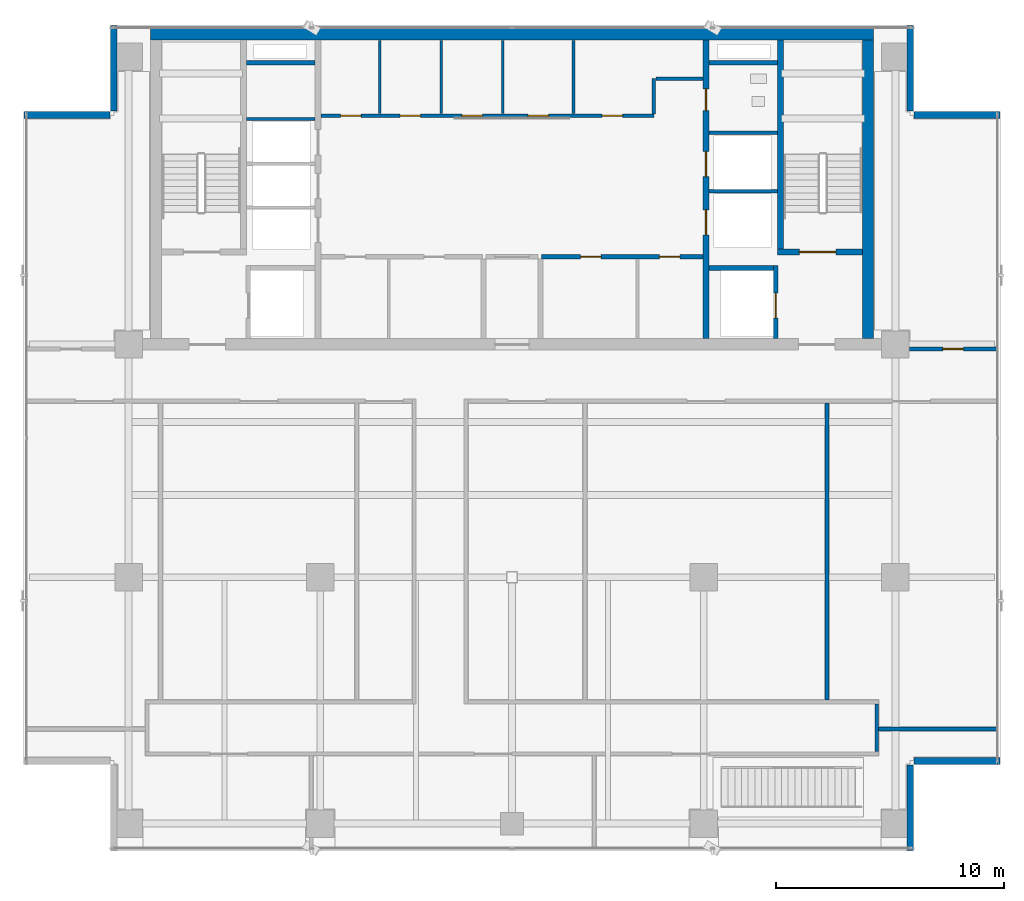
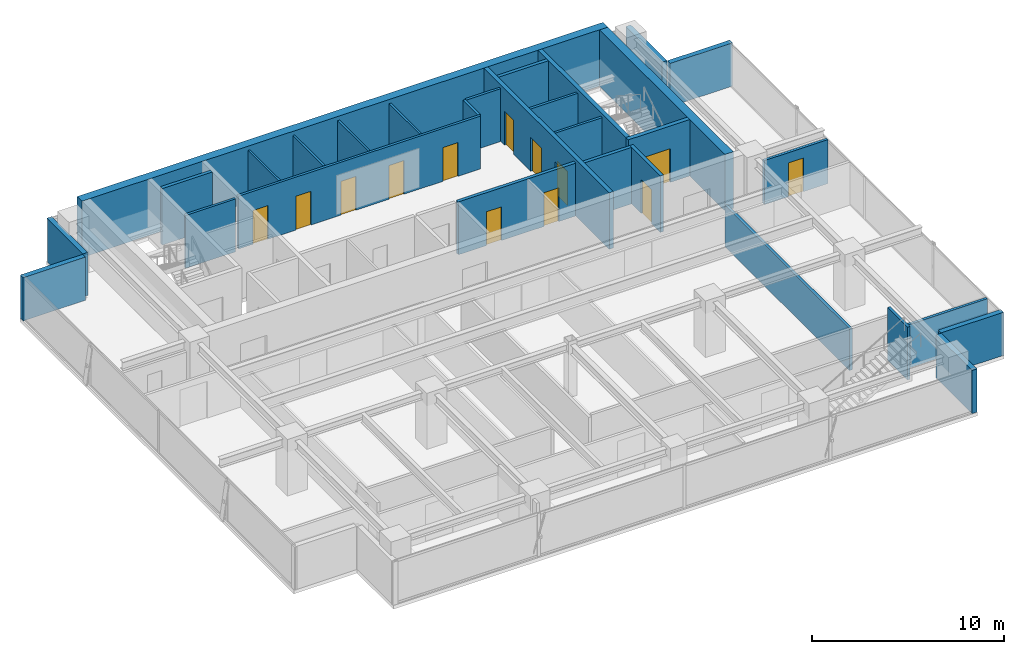
# One storey, part 16 of 22: 30 walls, 13 doors, 13 openings.
"""IFC4 building model written with IfcOpenShell, lengths in metres."""

from ifc_helpers import new_model, si_unit, direction, frame, frame_2d, origin, place, context, subcontext, project, spatial, rectangle, extrude, source, transform, mapped, material, layer, layer_set, type_object, element, fill, save


model = new_model("IFC4")

# Units and contexts
model_context = context("Model", 3, precision=1e-05, world=origin(), true_north=direction((0.0, 1.0)))
body_context = subcontext(model_context, "Body", "Model", "MODEL_VIEW")
ifc_project = project(units=[si_unit("LENGTHUNIT", "METRE"), si_unit("AREAUNIT", "SQUARE_METRE"), si_unit("VOLUMEUNIT", "CUBIC_METRE"), si_unit("PLANEANGLEUNIT", "RADIAN"), si_unit("MASSUNIT", "GRAM", prefix="KILO")], contexts=[model_context])

# Site, building, storey
site_placement = place(None, origin())
site = spatial("IfcSite", under=ifc_project, at=site_placement, CompositionType="ELEMENT")
building_placement = place(site_placement, origin())
building = spatial("IfcBuilding", under=site, at=building_placement, Name="Sumidabori Civic Tower", CompositionType="ELEMENT")
storey_placement = place(building_placement, frame((0.0, 0.0, 286.39990234375)))
storey = spatial("IfcBuildingStorey", under=building, at=storey_placement, Name="L75", CompositionType="ELEMENT", Elevation=286.39990234375)

# Walls
ifc_material_1 = material(Name="Concrete C50/60", Category="concrete")
ifc_layer_1 = layer(ifc_material_1, 0.199951171875, Name="Concrete C50/60")
ifc_layer_set_1 = layer_set([ifc_layer_1], Name="Concrete C50/60")
wall_type_1 = type_object("IfcWallType", Name="WL-SHAFT-200", PredefinedType="SHEAR", material=ifc_layer_set_1)
shared_shape_1 = source(origin(), body_context, "Body", "SweptSolid", [
    extrude(rectangle(XDim=2.824951171875, YDim=0.199951171875, at=frame_2d((1.41259765625, 0.0))), origin(), (0.0, 0.0, 1.0), 3.60009765625),
])
wall_1_placement = place(storey_placement, frame((8.625, 13.550048828125, 0.0), z_axis=(0.0, 0.0, 1.0), x_axis=(1.0, 0.0, 0.0)))
element("IfcWall", 1, at=wall_1_placement, inside=storey, type_object=wall_type_1, Name="Core Shear Wall L75 EL2-N", PredefinedType="SHEAR", context=body_context, shape_type="MappedRepresentation", body=[
    mapped(shared_shape_1, transform((0.0, 0.0, 0.0), x_axis=(1.0, 0.0, 0.0), y_axis=(0.0, 1.0, 0.0), z_axis=(0.0, 0.0, 1.0), scale=1.0)),
])
shared_shape_2 = source(origin(), body_context, "Body", "SweptSolid", [
    extrude(rectangle(XDim=3.02001953125, YDim=0.199951171875, at=frame_2d((1.510009765625, 0.0))), origin(), (0.0, 0.0, 1.0), 3.60009765625),
])
for number, where, z_axis, x_axis, name in (
    (2, (-11.64501953125, 22.550048828125, 0.0), (0.0, 0.0, 1.0), (1.0, 0.0, 0.0), "Core Shear Wall L75 RIS1-S"),
    (3, (8.625, 22.550048828125, 0.0), (0.0, 0.0, 1.0), (1.0, 0.0, 0.0), "Core Shear Wall L75 RIS2-S"),
):
    element("IfcWall", number, at=place(storey_placement, frame(where, z_axis=z_axis, x_axis=x_axis)), inside=storey, type_object=wall_type_1, Name=name, PredefinedType="SHEAR", context=body_context, shape_type="MappedRepresentation", body=[
        mapped(shared_shape_2, transform((0.0, 0.0, 0.0), x_axis=(1.0, 0.0, 0.0), y_axis=(0.0, 1.0, 0.0), z_axis=(0.0, 0.0, 1.0), scale=1.0)),
    ])
ifc_layer_2 = layer(ifc_material_1, 0.5, Name="Concrete C50/60")
ifc_layer_set_2 = layer_set([ifc_layer_2], Name="Concrete C50/60")
wall_type_2 = type_object("IfcWallType", Name="WL-CORE-500", PredefinedType="SHEAR", material=ifc_layer_set_2)
shared_shape_3 = source(origin(), body_context, "Body", "SweptSolid", [
    extrude(rectangle(XDim=31.7001953125, YDim=0.5, at=frame_2d((15.85009765625, 0.0))), origin(), (0.0, 0.0, 1.0), 3.60009765625),
])
wall_2_placement = place(storey_placement, frame((-15.85009765625, 23.800048828125, 0.0), z_axis=(0.0, 0.0, 1.0), x_axis=(1.0, 0.0, 0.0)))
element("IfcWall", 4, at=wall_2_placement, inside=storey, type_object=wall_type_2, Name="Core Shear Wall L75 N", PredefinedType="SHEAR", context=body_context, shape_type="MappedRepresentation", body=[
    mapped(shared_shape_3, transform((0.0, 0.0, 0.0), x_axis=(1.0, 0.0, 0.0), y_axis=(0.0, 1.0, 0.0), z_axis=(0.0, 0.0, 1.0), scale=1.0)),
])
shared_shape_4 = source(origin(), body_context, "Body", "SweptSolid", [
    extrude(rectangle(XDim=13.10009765625, YDim=0.5, at=frame_2d((6.550048828125, 0.0))), origin(), (0.0, 0.0, 1.0), 3.60009765625),
])
wall_3_placement = place(storey_placement, frame((15.60009765625, 10.449951171875, 0.0), z_axis=(0.0, 0.0, 1.0), x_axis=(0.0, 1.0, 0.0)))
element("IfcWall", 5, at=wall_3_placement, inside=storey, type_object=wall_type_2, Name="Core Shear Wall L75 E", PredefinedType="SHEAR", context=body_context, shape_type="MappedRepresentation", body=[
    mapped(shared_shape_4, transform((0.0, 0.0, 0.0), x_axis=(1.0, 0.0, 0.0), y_axis=(0.0, 1.0, 0.0), z_axis=(0.0, 0.0, 1.0), scale=1.0)),
])

# Wall, openings, doors
ifc_layer_3 = layer(ifc_material_1, 0.25, Name="Concrete C50/60")
ifc_layer_set_3 = layer_set([ifc_layer_3], Name="Concrete C50/60")
wall_type_3 = type_object("IfcWallType", Name="WL-SHAFT-250", PredefinedType="SHEAR", material=ifc_layer_set_3)
shared_shape_5 = source(origin(), body_context, "Body", "SweptSolid", [
    extrude(rectangle(XDim=13.10009765625, YDim=0.25, at=frame_2d((6.550048828125, 0.0))), origin(), (0.0, 0.0, 1.0), 3.60009765625),
])
wall_4_placement = place(storey_placement, frame((8.5, 10.449951171875, 0.0), z_axis=(0.0, 0.0, 1.0), x_axis=(0.0, 1.0, 0.0)))
wall_4 = element("IfcWall", 6, at=wall_4_placement, inside=storey, type_object=wall_type_3, Name="Core Shear Wall L75 WEB-E", PredefinedType="SHEAR", context=body_context, shape_type="MappedRepresentation", body=[
    mapped(shared_shape_5, transform((0.0, 0.0, 0.0), x_axis=(1.0, 0.0, 0.0), y_axis=(0.0, 1.0, 0.0), z_axis=(0.0, 0.0, 1.0), scale=1.0)),
])
opening_1_placement = place(wall_4_placement, frame((4.550048828125, 0.0, 0.0)))
opening_1 = element("IfcOpeningElement", 7, at=opening_1_placement, cuts=wall_4, Name="Opening LD-1", PredefinedType="OPENING", context=body_context, shape_type="SweptSolid", body=[
    extrude(rectangle(XDim=1.10009765625, YDim=2.14990234375, at=frame_2d((0.550048828125, 1.074951171875))), frame((0.0, 0.136962890625, 0.0), z_axis=(0.0, -1.0, 0.0), x_axis=(1.0, 0.0, 0.0)), (0.0, 0.0, 1.0), 0.27392578125),
])
opening_2_placement = place(wall_4_placement, frame((7.10009765625, 0.0, 0.0)))
opening_2 = element("IfcOpeningElement", 8, at=opening_2_placement, cuts=wall_4, Name="Opening LD-1", PredefinedType="OPENING", context=body_context, shape_type="SweptSolid", body=[
    extrude(rectangle(XDim=1.10009765625, YDim=2.14990234375, at=frame_2d((0.550048828125, 1.074951171875))), frame((0.0, 0.136962890625, 0.0), z_axis=(0.0, -1.0, 0.0), x_axis=(1.0, 0.0, 0.0)), (0.0, 0.0, 1.0), 0.27392578125),
])
opening_3_placement = place(wall_4_placement, frame((10.0, 0.0, 0.0)))
opening_3 = element("IfcOpeningElement", 9, at=opening_3_placement, cuts=wall_4, Name="Opening DR-2", PredefinedType="OPENING", context=body_context, shape_type="SweptSolid", body=[
    extrude(rectangle(XDim=0.949951171875, YDim=2.14990234375, at=frame_2d((0.47509765625, 1.074951171875))), frame((0.0, 0.136962890625, 0.0), z_axis=(0.0, -1.0, 0.0), x_axis=(1.0, 0.0, 0.0)), (0.0, 0.0, 1.0), 0.27392578125),
])
ifc_material_2 = material(Name="Stainless Steel Hairline Finish", Category="steel")
door_type_1 = type_object("IfcDoorType", Name="DR-LD1", OperationType="DOUBLE_DOOR_SLIDING", PredefinedType="DOOR", material=ifc_material_2)
shared_shape_6 = source(origin(), body_context, "Body", "SweptSolid", [
    extrude(rectangle(XDim=1.10009765625, YDim=2.14990234375, at=frame_2d((0.550048828125, 1.074951171875))), frame((0.0, 0.02490234375, 0.0), z_axis=(0.0, -1.0, 0.0), x_axis=(1.0, 0.0, 0.0)), (0.0, 0.0, 1.0), 0.050048828125),
])
door_1_placement = place(opening_1_placement, origin())
door_1 = element("IfcDoor", 10, at=door_1_placement, inside=storey, type_object=door_type_1, Name="Door DR:L75:LD-OBS1", OperationType="DOUBLE_DOOR_SLIDING", OverallHeight=2.14990234375, OverallWidth=1.10009765625, PredefinedType="DOOR", context=body_context, shape_type="MappedRepresentation", body=[
    mapped(shared_shape_6, transform((0.0, 0.0, 0.0), x_axis=(1.0, 0.0, 0.0), y_axis=(0.0, 1.0, 0.0), z_axis=(0.0, 0.0, 1.0), scale=1.0)),
])
fill(opening_1, door_1)
door_2_placement = place(opening_2_placement, origin())
door_2 = element("IfcDoor", 11, at=door_2_placement, inside=storey, type_object=door_type_1, Name="Door DR:L75:LD-OBS2", OperationType="DOUBLE_DOOR_SLIDING", OverallHeight=2.14990234375, OverallWidth=1.10009765625, PredefinedType="DOOR", context=body_context, shape_type="MappedRepresentation", body=[
    mapped(shared_shape_6, transform((0.0, 0.0, 0.0), x_axis=(1.0, 0.0, 0.0), y_axis=(0.0, 1.0, 0.0), z_axis=(0.0, 0.0, 1.0), scale=1.0)),
])
fill(opening_2, door_2)
ifc_material_3 = material(Name="Japanese Hinoki Timber", Category="wood")
door_type_2 = type_object("IfcDoorType", Name="DR-INT-950", OperationType="NOTDEFINED", PredefinedType="DOOR", material=ifc_material_3)
shared_shape_7 = source(origin(), body_context, "Body", "SweptSolid", [
    extrude(rectangle(XDim=0.949951171875, YDim=2.14990234375, at=frame_2d((0.47509765625, 1.074951171875))), frame((0.0, 0.02490234375, 0.0), z_axis=(0.0, -1.0, 0.0), x_axis=(1.0, 0.0, 0.0)), (0.0, 0.0, 1.0), 0.050048828125),
])
door_3_placement = place(opening_3_placement, origin())
door_3 = element("IfcDoor", 12, at=door_3_placement, inside=storey, type_object=door_type_2, Name="Door DR:L75:WC-ACC", OperationType="SINGLE_SWING_RIGHT", OverallHeight=2.14990234375, OverallWidth=0.949951171875, PredefinedType="DOOR", context=body_context, shape_type="MappedRepresentation", body=[
    mapped(shared_shape_7, transform((0.0, 0.0, 0.0), x_axis=(1.0, 0.0, 0.0), y_axis=(0.0, 1.0, 0.0), z_axis=(0.0, 0.0, 1.0), scale=1.0)),
])
fill(opening_3, door_3)

# Wall, opening, door
shared_shape_8 = source(origin(), body_context, "Body", "SweptSolid", [
    extrude(rectangle(XDim=3.705078125, YDim=0.25, at=frame_2d((1.8525390625, 0.0))), origin(), (0.0, 0.0, 1.0), 3.60009765625),
])
wall_5_placement = place(storey_placement, frame((11.64501953125, 14.25, 0.0), z_axis=(0.0, 0.0, 1.0), x_axis=(1.0, 0.0, 0.0)))
wall_5 = element("IfcWall", 13, at=wall_5_placement, inside=storey, type_object=wall_type_3, Name="Core Shear Wall L75 ST2-S", PredefinedType="SHEAR", context=body_context, shape_type="MappedRepresentation", body=[
    mapped(shared_shape_8, transform((0.0, 0.0, 0.0), x_axis=(1.0, 0.0, 0.0), y_axis=(0.0, 1.0, 0.0), z_axis=(0.0, 0.0, 1.0), scale=1.0)),
])
opening_4_placement = place(wall_5_placement, frame((0.949951171875, 0.0, 0.0)))
opening_4 = element("IfcOpeningElement", 14, at=opening_4_placement, cuts=wall_5, Name="Opening DR-FD4", PredefinedType="OPENING", context=body_context, shape_type="SweptSolid", body=[
    extrude(rectangle(XDim=1.60009765625, YDim=2.14990234375, at=frame_2d((0.800048828125, 1.074951171875))), frame((0.0, 0.136962890625, 0.0), z_axis=(0.0, -1.0, 0.0), x_axis=(1.0, 0.0, 0.0)), (0.0, 0.0, 1.0), 0.27392578125),
])
ifc_material_4 = material(Name="Steel SN490", Category="steel")
door_type_3 = type_object("IfcDoorType", Name="DR-FD4", OperationType="DOUBLE_DOOR_SINGLE_SWING", PredefinedType="DOOR", material=ifc_material_4)
shared_shape_9 = source(origin(), body_context, "Body", "SweptSolid", [
    extrude(rectangle(XDim=1.60009765625, YDim=2.14990234375, at=frame_2d((0.800048828125, 1.074951171875))), frame((0.0, 0.02490234375, 0.0), z_axis=(0.0, -1.0, 0.0), x_axis=(1.0, 0.0, 0.0)), (0.0, 0.0, 1.0), 0.050048828125),
])
door_4_placement = place(opening_4_placement, origin())
door_4 = element("IfcDoor", 15, at=door_4_placement, inside=storey, type_object=door_type_3, Name="Door DR:L75:ST2", OperationType="DOUBLE_DOOR_SINGLE_SWING", OverallHeight=2.14990234375, OverallWidth=1.60009765625, PredefinedType="DOOR", context=body_context, shape_type="MappedRepresentation", body=[
    mapped(shared_shape_9, transform((0.0, 0.0, 0.0), x_axis=(1.0, 0.0, 0.0), y_axis=(0.0, 1.0, 0.0), z_axis=(0.0, 0.0, 1.0), scale=1.0)),
])
fill(opening_4, door_4)

# Wall
shared_shape_10 = source(origin(), body_context, "Body", "SweptSolid", [
    extrude(rectangle(XDim=9.175048828125, YDim=0.25, at=frame_2d((4.58740234375, 0.0))), origin(), (0.0, 0.0, 1.0), 3.60009765625),
])
wall_6_placement = place(storey_placement, frame((11.77001953125, 14.375, 0.0), z_axis=(0.0, 0.0, 1.0), x_axis=(0.0, 1.0, 0.0)))
element("IfcWall", 16, at=wall_6_placement, inside=storey, type_object=wall_type_3, Name="Core Shear Wall L75 ST2-W", PredefinedType="SHEAR", context=body_context, shape_type="MappedRepresentation", body=[
    mapped(shared_shape_10, transform((0.0, 0.0, 0.0), x_axis=(1.0, 0.0, 0.0), y_axis=(0.0, 1.0, 0.0), z_axis=(0.0, 0.0, 1.0), scale=1.0)),
])

# Wall, opening, door
shared_shape_11 = source(origin(), body_context, "Body", "SweptSolid", [
    extrude(rectangle(XDim=3.199951171875, YDim=0.199951171875, at=frame_2d((1.60009765625, 0.0))), origin(), (0.0, 0.0, 1.0), 3.60009765625),
])
wall_7_placement = place(storey_placement, frame((11.550048828125, 10.449951171875, 0.0), z_axis=(0.0, 0.0, 1.0), x_axis=(0.0, 1.0, 0.0)))
wall_7 = element("IfcWall", 17, at=wall_7_placement, inside=storey, type_object=wall_type_1, Name="Core Shear Wall L75 EL2-E", PredefinedType="SHEAR", context=body_context, shape_type="MappedRepresentation", body=[
    mapped(shared_shape_11, transform((0.0, 0.0, 0.0), x_axis=(1.0, 0.0, 0.0), y_axis=(0.0, 1.0, 0.0), z_axis=(0.0, 0.0, 1.0), scale=1.0)),
])
opening_5_placement = place(wall_7_placement, frame((0.89990234375, 0.0, 0.0)))
opening_5 = element("IfcOpeningElement", 18, at=opening_5_placement, cuts=wall_7, Name="Opening LD-2", PredefinedType="OPENING", context=body_context, shape_type="SweptSolid", body=[
    extrude(rectangle(XDim=1.10009765625, YDim=2.14990234375, at=frame_2d((0.550048828125, 1.074951171875))), frame((0.0, 0.11181640625, 0.0), z_axis=(0.0, -1.0, 0.0), x_axis=(1.0, 0.0, 0.0)), (0.0, 0.0, 1.0), 0.223876953125),
])
door_type_4 = type_object("IfcDoorType", Name="DR-LD2", OperationType="DOUBLE_DOOR_SLIDING", PredefinedType="DOOR", material=ifc_material_2)
door_5_placement = place(opening_5_placement, origin())
door_5 = element("IfcDoor", 19, at=door_5_placement, inside=storey, type_object=door_type_4, Name="Door DR:L75:LD-EL2", OperationType="DOUBLE_DOOR_SLIDING", OverallHeight=2.14990234375, OverallWidth=1.10009765625, PredefinedType="DOOR", context=body_context, shape_type="MappedRepresentation", body=[
    mapped(shared_shape_6, transform((0.0, 0.0, 0.0), x_axis=(1.0, 0.0, 0.0), y_axis=(0.0, 1.0, 0.0), z_axis=(0.0, 0.0, 1.0), scale=1.0)),
])
fill(opening_5, door_5)

# Walls
ifc_material_5 = material(Name="Precast concrete C40/50", Category="concrete")
ifc_layer_4 = layer(ifc_material_5, 0.300048828125, Name="Precast concrete C40/50")
ifc_layer_set_4 = layer_set([ifc_layer_4], Name="Precast concrete C40/50")
wall_type_4 = type_object("IfcWallType", Name="WL-EXT-POD300", PredefinedType="STANDARD", material=ifc_layer_set_4)
shared_shape_12 = source(origin(), body_context, "Body", "SweptSolid", [
    extrude(rectangle(XDim=3.760009765625, YDim=0.300048828125, at=frame_2d((1.8798828125, 0.0))), origin(), (0.0, 0.0, 1.0), 2.75),
])
for number, where, z_axis, x_axis, name in (
    (20, (17.449951171875, -11.97998046875, 0.0), (0.0, 0.0, 1.0), (0.0, 1.0, 0.0), "Notched Corner Spandrel Band L75-02"),
    (21, (17.449951171875, 20.419921875, 0.0), (0.0, 0.0, 1.0), (0.0, 1.0, 0.0), "Notched Corner Spandrel Band L75-06"),
    (22, (-17.449951171875, 24.179931640625, 0.0), (0.0, 0.0, 1.0), (0.0, -1.0, 0.0), "Notched Corner Spandrel Band L75-08"),
):
    element("IfcWall", number, at=place(storey_placement, frame(where, z_axis=z_axis, x_axis=x_axis)), inside=storey, type_object=wall_type_4, Name=name, PredefinedType="STANDARD", context=body_context, shape_type="MappedRepresentation", body=[
        mapped(shared_shape_12, transform((0.0, 0.0, 0.0), x_axis=(1.0, 0.0, 0.0), y_axis=(0.0, 1.0, 0.0), z_axis=(0.0, 0.0, 1.0), scale=1.0)),
    ])
shared_shape_13 = source(origin(), body_context, "Body", "SweptSolid", [
    extrude(rectangle(XDim=3.759765625, YDim=0.300048828125, at=frame_2d((1.8798828125, 0.0))), origin(), (0.0, 0.0, 1.0), 2.75),
])
for number, where, z_axis, x_axis, name in (
    (23, (17.6201171875, -8.050048828125, 0.0), (0.0, 0.0, 1.0), (1.0, 0.0, 0.0), "Notched Corner Spandrel Band L75-03"),
    (24, (21.3798828125, 20.25, 0.0), (0.0, 0.0, 1.0), (-1.0, 0.0, 0.0), "Notched Corner Spandrel Band L75-05"),
    (25, (-17.6201171875, 20.25, 0.0), (0.0, 0.0, 1.0), (-1.0, 0.0, 0.0), "Notched Corner Spandrel Band L75-09"),
):
    element("IfcWall", number, at=place(storey_placement, frame(where, z_axis=z_axis, x_axis=x_axis)), inside=storey, type_object=wall_type_4, Name=name, PredefinedType="STANDARD", context=body_context, shape_type="MappedRepresentation", body=[
        mapped(shared_shape_13, transform((0.0, 0.0, 0.0), x_axis=(1.0, 0.0, 0.0), y_axis=(0.0, 1.0, 0.0), z_axis=(0.0, 0.0, 1.0), scale=1.0)),
    ])
ifc_material_6 = material(Name="Gypsum Plasterboard Acoustic Partition")
ifc_layer_5 = layer(ifc_material_6, 0.14990234375, Name="Gypsum Plasterboard Acoustic Partition")
ifc_layer_set_5 = layer_set([ifc_layer_5], Name="Gypsum Plasterboard Acoustic Partition")
wall_type_5 = type_object("IfcWallType", Name="WL-PART-150", PredefinedType="PARTITIONING", material=ifc_layer_set_5)
shared_shape_14 = source(origin(), body_context, "Body", "SweptSolid", [
    extrude(rectangle(XDim=3.010009765625, YDim=0.14990234375, at=frame_2d((1.5048828125, 0.0))), origin(), (0.0, 0.0, 1.0), 3.3701171875),
])
for number, where, z_axis, x_axis, name in (
    (26, (-11.639892578125, 20.080078125, 0.0), (0.0, 0.0, 1.0), (1.0, 0.0, 0.0), "Interior Partition WL:L75:DIV-PLH3"),
    (27, (8.6298828125, 16.919921875, 0.0), (0.0, 0.0, 1.0), (1.0, 0.0, 0.0), "Interior Partition WL:L75:DIV-OBS1"),
    (28, (8.6298828125, 19.469970703125, 0.0), (0.0, 0.0, 1.0), (1.0, 0.0, 0.0), "Interior Partition WL:L75:DIV-OBS2"),
):
    element("IfcWall", number, at=place(storey_placement, frame(where, z_axis=z_axis, x_axis=x_axis)), inside=storey, type_object=wall_type_5, Name=name, PredefinedType="PARTITIONING", context=body_context, shape_type="MappedRepresentation", body=[
        mapped(shared_shape_14, transform((0.0, 0.0, 0.0), x_axis=(1.0, 0.0, 0.0), y_axis=(0.0, 1.0, 0.0), z_axis=(0.0, 0.0, 1.0), scale=1.0)),
    ])

# Wall, openings, doors
ifc_material_7 = material(Name="Gypsum Plasterboard Fire Partition")
ifc_layer_6 = layer(ifc_material_7, 0.199951171875, Name="Gypsum Plasterboard Fire Partition")
ifc_layer_set_6 = layer_set([ifc_layer_6], Name="Gypsum Plasterboard Fire Partition")
wall_type_6 = type_object("IfcWallType", Name="WL-PART-FIRE", PredefinedType="PARTITIONING", material=ifc_layer_set_6)
shared_shape_15 = source(origin(), body_context, "Body", "SweptSolid", [
    extrude(rectangle(XDim=7.070068359375, YDim=0.199951171875, at=frame_2d((3.53515625, 0.0))), origin(), (0.0, 0.0, 1.0), 3.3701171875),
])
wall_8_placement = place(storey_placement, frame((1.300048828125, 14.050048828125, 0.0), z_axis=(0.0, 0.0, 1.0), x_axis=(1.0, 0.0, 0.0)))
wall_8 = element("IfcWall", 29, at=wall_8_placement, inside=storey, type_object=wall_type_6, Name="Interior Partition WL:L75:CBAND-SE", PredefinedType="PARTITIONING", context=body_context, shape_type="MappedRepresentation", body=[
    mapped(shared_shape_15, transform((0.0, 0.0, 0.0), x_axis=(1.0, 0.0, 0.0), y_axis=(0.0, 1.0, 0.0), z_axis=(0.0, 0.0, 1.0), scale=1.0)),
])
opening_6_placement = place(wall_8_placement, frame((1.7099609375, 0.0, 0.0)))
opening_6 = element("IfcOpeningElement", 30, at=opening_6_placement, cuts=wall_8, Name="Opening DR-1", PredefinedType="OPENING", context=body_context, shape_type="SweptSolid", body=[
    extrude(rectangle(XDim=0.89990234375, YDim=2.14990234375, at=frame_2d((0.449951171875, 1.074951171875))), frame((0.0, 0.11181640625, 0.0), z_axis=(0.0, -1.0, 0.0), x_axis=(1.0, 0.0, 0.0)), (0.0, 0.0, 1.0), 0.223876953125),
])
opening_7_placement = place(wall_8_placement, frame((5.159912109375, 0.0, 0.0)))
opening_7 = element("IfcOpeningElement", 31, at=opening_7_placement, cuts=wall_8, Name="Opening DR-1", PredefinedType="OPENING", context=body_context, shape_type="SweptSolid", body=[
    extrude(rectangle(XDim=0.89990234375, YDim=2.14990234375, at=frame_2d((0.449951171875, 1.074951171875))), frame((0.0, 0.11181640625, 0.0), z_axis=(0.0, -1.0, 0.0), x_axis=(1.0, 0.0, 0.0)), (0.0, 0.0, 1.0), 0.223876953125),
])
door_type_5 = type_object("IfcDoorType", Name="DR-INT-900", OperationType="NOTDEFINED", PredefinedType="DOOR", material=ifc_material_3)
shared_shape_16 = source(origin(), body_context, "Body", "SweptSolid", [
    extrude(rectangle(XDim=0.89990234375, YDim=2.14990234375, at=frame_2d((0.449951171875, 1.074951171875))), frame((0.0, 0.02490234375, 0.0), z_axis=(0.0, -1.0, 0.0), x_axis=(1.0, 0.0, 0.0)), (0.0, 0.0, 1.0), 0.050048828125),
])
door_6_placement = place(opening_6_placement, origin())
door_6 = element("IfcDoor", 32, at=door_6_placement, inside=storey, type_object=door_type_5, Name="Door DR:L75:REC-B2A", OperationType="SINGLE_SWING_LEFT", OverallHeight=2.14990234375, OverallWidth=0.89990234375, PredefinedType="DOOR", context=body_context, shape_type="MappedRepresentation", body=[
    mapped(shared_shape_16, transform((0.0, 0.0, 0.0), x_axis=(1.0, 0.0, 0.0), y_axis=(0.0, 1.0, 0.0), z_axis=(0.0, 0.0, 1.0), scale=1.0)),
])
fill(opening_6, door_6)
door_7_placement = place(opening_7_placement, origin())
door_7 = element("IfcDoor", 33, at=door_7_placement, inside=storey, type_object=door_type_5, Name="Door DR:L75:REC-B2B", OperationType="SINGLE_SWING_RIGHT", OverallHeight=2.14990234375, OverallWidth=0.89990234375, PredefinedType="DOOR", context=body_context, shape_type="MappedRepresentation", body=[
    mapped(shared_shape_16, transform((0.0, 0.0, 0.0), x_axis=(1.0, 0.0, 0.0), y_axis=(0.0, 1.0, 0.0), z_axis=(0.0, 0.0, 1.0), scale=1.0)),
])
fill(opening_7, door_7)

shared_shape_17 = source(origin(), body_context, "Body", "SweptSolid", [
    extrude(rectangle(XDim=14.590087890625, YDim=0.14990234375, at=frame_2d((7.294921875, 0.0))), origin(), (0.0, 0.0, 1.0), 3.3701171875),
])
wall_9_placement = place(storey_placement, frame((-8.3701171875, 20.219970703125, 0.0), z_axis=(0.0, 0.0, 1.0), x_axis=(1.0, 0.0, 0.0)))
wall_9 = element("IfcWall", 34, at=wall_9_placement, inside=storey, type_object=wall_type_5, Name="Interior Partition WL:L75:CBAND-M", PredefinedType="PARTITIONING", context=body_context, shape_type="MappedRepresentation", body=[
    mapped(shared_shape_17, transform((0.0, 0.0, 0.0), x_axis=(1.0, 0.0, 0.0), y_axis=(0.0, 1.0, 0.0), z_axis=(0.0, 0.0, 1.0), scale=1.0)),
])
opening_8_placement = place(wall_9_placement, frame((0.860107421875, 0.0, 0.0)))
opening_8 = element("IfcOpeningElement", 35, at=opening_8_placement, cuts=wall_9, Name="Opening DR-1", PredefinedType="OPENING", context=body_context, shape_type="SweptSolid", body=[
    extrude(rectangle(XDim=0.89990234375, YDim=2.14990234375, at=frame_2d((0.449951171875, 1.074951171875))), frame((0.0, 0.0869140625, 0.0), z_axis=(0.0, -1.0, 0.0), x_axis=(1.0, 0.0, 0.0)), (0.0, 0.0, 1.0), 0.173828125),
])
opening_9_placement = place(wall_9_placement, frame((3.469970703125, 0.0, 0.0)))
opening_9 = element("IfcOpeningElement", 36, at=opening_9_placement, cuts=wall_9, Name="Opening DR-1", PredefinedType="OPENING", context=body_context, shape_type="SweptSolid", body=[
    extrude(rectangle(XDim=0.89990234375, YDim=2.14990234375, at=frame_2d((0.449951171875, 1.074951171875))), frame((0.0, 0.0869140625, 0.0), z_axis=(0.0, -1.0, 0.0), x_axis=(1.0, 0.0, 0.0)), (0.0, 0.0, 1.0), 0.173828125),
])
opening_10_placement = place(wall_9_placement, frame((6.169921875, 0.0, 0.0)))
opening_10 = element("IfcOpeningElement", 37, at=opening_10_placement, cuts=wall_9, Name="Opening DR-1", PredefinedType="OPENING", context=body_context, shape_type="SweptSolid", body=[
    extrude(rectangle(XDim=0.89990234375, YDim=2.14990234375, at=frame_2d((0.449951171875, 1.074951171875))), frame((0.0, 0.0869140625, 0.0), z_axis=(0.0, -1.0, 0.0), x_axis=(1.0, 0.0, 0.0)), (0.0, 0.0, 1.0), 0.173828125),
])
opening_11_placement = place(wall_9_placement, frame((9.070068359375, 0.0, 0.0)))
opening_11 = element("IfcOpeningElement", 38, at=opening_11_placement, cuts=wall_9, Name="Opening DR-1", PredefinedType="OPENING", context=body_context, shape_type="SweptSolid", body=[
    extrude(rectangle(XDim=0.89990234375, YDim=2.14990234375, at=frame_2d((0.449951171875, 1.074951171875))), frame((0.0, 0.0869140625, 0.0), z_axis=(0.0, -1.0, 0.0), x_axis=(1.0, 0.0, 0.0)), (0.0, 0.0, 1.0), 0.173828125),
])
opening_12_placement = place(wall_9_placement, frame((12.320068359375, 0.0, 0.0)))
opening_12 = element("IfcOpeningElement", 39, at=opening_12_placement, cuts=wall_9, Name="Opening DR-1", PredefinedType="OPENING", context=body_context, shape_type="SweptSolid", body=[
    extrude(rectangle(XDim=0.89990234375, YDim=2.14990234375, at=frame_2d((0.449951171875, 1.074951171875))), frame((0.0, 0.0869140625, 0.0), z_axis=(0.0, -1.0, 0.0), x_axis=(1.0, 0.0, 0.0)), (0.0, 0.0, 1.0), 0.173828125),
])
door_8_placement = place(opening_8_placement, origin())
door_8 = element("IfcDoor", 40, at=door_8_placement, inside=storey, type_object=door_type_5, Name="Door DR:L75:CB-1", OperationType="SINGLE_SWING_LEFT", OverallHeight=2.14990234375, OverallWidth=0.89990234375, PredefinedType="DOOR", context=body_context, shape_type="MappedRepresentation", body=[
    mapped(shared_shape_16, transform((0.0, 0.0, 0.0), x_axis=(1.0, 0.0, 0.0), y_axis=(0.0, 1.0, 0.0), z_axis=(0.0, 0.0, 1.0), scale=1.0)),
])
fill(opening_8, door_8)
door_9_placement = place(opening_9_placement, origin())
door_9 = element("IfcDoor", 41, at=door_9_placement, inside=storey, type_object=door_type_5, Name="Door DR:L75:CB-2", OperationType="SINGLE_SWING_RIGHT", OverallHeight=2.14990234375, OverallWidth=0.89990234375, PredefinedType="DOOR", context=body_context, shape_type="MappedRepresentation", body=[
    mapped(shared_shape_16, transform((0.0, 0.0, 0.0), x_axis=(1.0, 0.0, 0.0), y_axis=(0.0, 1.0, 0.0), z_axis=(0.0, 0.0, 1.0), scale=1.0)),
])
fill(opening_9, door_9)
door_10_placement = place(opening_10_placement, origin())
door_10 = element("IfcDoor", 42, at=door_10_placement, inside=storey, type_object=door_type_5, Name="Door DR:L75:CB-3", OperationType="SINGLE_SWING_LEFT", OverallHeight=2.14990234375, OverallWidth=0.89990234375, PredefinedType="DOOR", context=body_context, shape_type="MappedRepresentation", body=[
    mapped(shared_shape_16, transform((0.0, 0.0, 0.0), x_axis=(1.0, 0.0, 0.0), y_axis=(0.0, 1.0, 0.0), z_axis=(0.0, 0.0, 1.0), scale=1.0)),
])
fill(opening_10, door_10)
door_11_placement = place(opening_11_placement, origin())
door_11 = element("IfcDoor", 43, at=door_11_placement, inside=storey, type_object=door_type_5, Name="Door DR:L75:CB-4", OperationType="SINGLE_SWING_RIGHT", OverallHeight=2.14990234375, OverallWidth=0.89990234375, PredefinedType="DOOR", context=body_context, shape_type="MappedRepresentation", body=[
    mapped(shared_shape_16, transform((0.0, 0.0, 0.0), x_axis=(1.0, 0.0, 0.0), y_axis=(0.0, 1.0, 0.0), z_axis=(0.0, 0.0, 1.0), scale=1.0)),
])
fill(opening_11, door_11)
door_12_placement = place(opening_12_placement, origin())
door_12 = element("IfcDoor", 44, at=door_12_placement, inside=storey, type_object=door_type_5, Name="Door DR:L75:CB-5", OperationType="SINGLE_SWING_LEFT", OverallHeight=2.14990234375, OverallWidth=0.89990234375, PredefinedType="DOOR", context=body_context, shape_type="MappedRepresentation", body=[
    mapped(shared_shape_16, transform((0.0, 0.0, 0.0), x_axis=(1.0, 0.0, 0.0), y_axis=(0.0, 1.0, 0.0), z_axis=(0.0, 0.0, 1.0), scale=1.0)),
])
fill(opening_12, door_12)

# Walls
shared_shape_18 = source(origin(), body_context, "Body", "SweptSolid", [
    extrude(rectangle(XDim=1.550048828125, YDim=0.14990234375, at=frame_2d((0.77490234375, 0.0))), origin(), (0.0, 0.0, 1.0), 3.3701171875),
])
wall_10_placement = place(storey_placement, frame((6.219970703125, 20.300048828125, 0.0), z_axis=(0.0, 0.0, 1.0), x_axis=(0.0, 1.0, 0.0)))
element("IfcWall", 45, at=wall_10_placement, inside=storey, type_object=wall_type_5, Name="Interior Partition WL:L75:CBAND-ME1", PredefinedType="PARTITIONING", context=body_context, shape_type="MappedRepresentation", body=[
    mapped(shared_shape_18, transform((0.0, 0.0, 0.0), x_axis=(1.0, 0.0, 0.0), y_axis=(0.0, 1.0, 0.0), z_axis=(0.0, 0.0, 1.0), scale=1.0)),
])
shared_shape_19 = source(origin(), body_context, "Body", "SweptSolid", [
    extrude(rectangle(XDim=2.070068359375, YDim=0.14990234375, at=frame_2d((1.03515625, 0.0))), origin(), (0.0, 0.0, 1.0), 3.3701171875),
])
wall_11_placement = place(storey_placement, frame((6.300048828125, 21.85009765625, 0.0), z_axis=(0.0, 0.0, 1.0), x_axis=(1.0, 0.0, 0.0)))
element("IfcWall", 46, at=wall_11_placement, inside=storey, type_object=wall_type_5, Name="Interior Partition WL:L75:CBAND-ME2", PredefinedType="PARTITIONING", context=body_context, shape_type="MappedRepresentation", body=[
    mapped(shared_shape_19, transform((0.0, 0.0, 0.0), x_axis=(1.0, 0.0, 0.0), y_axis=(0.0, 1.0, 0.0), z_axis=(0.0, 0.0, 1.0), scale=1.0)),
])
ifc_layer_7 = layer(ifc_material_6, 0.1201171875, Name="Gypsum Plasterboard Acoustic Partition")
ifc_layer_set_7 = layer_set([ifc_layer_7], Name="Gypsum Plasterboard Acoustic Partition")
wall_type_7 = type_object("IfcWallType", Name="WL-PART-120", PredefinedType="PARTITIONING", material=ifc_layer_set_7)
shared_shape_20 = source(origin(), body_context, "Body", "SweptSolid", [
    extrude(rectangle(XDim=3.18994140625, YDim=0.1201171875, at=frame_2d((1.594970703125, 0.0))), origin(), (0.0, 0.0, 1.0), 3.3701171875),
])
for number, where, z_axis, x_axis, name in (
    (47, (-5.800048828125, 20.320068359375, 0.0), (0.0, 0.0, 1.0), (0.0, 1.0, 0.0), "Interior Partition WL:L75:LV8-S1"),
    (48, (-3.10009765625, 20.320068359375, 0.0), (0.0, 0.0, 1.0), (0.0, 1.0, 0.0), "Interior Partition WL:L75:LV8-S2"),
    (49, (-0.39990234375, 20.320068359375, 0.0), (0.0, 0.0, 1.0), (0.0, 1.0, 0.0), "Interior Partition WL:L75:LV8-S3"),
    (50, (2.699951171875, 20.320068359375, 0.0), (0.0, 0.0, 1.0), (0.0, 1.0, 0.0), "Interior Partition WL:L75:LV8-S4"),
):
    element("IfcWall", number, at=place(storey_placement, frame(where, z_axis=z_axis, x_axis=x_axis)), inside=storey, type_object=wall_type_7, Name=name, PredefinedType="PARTITIONING", context=body_context, shape_type="MappedRepresentation", body=[
        mapped(shared_shape_20, transform((0.0, 0.0, 0.0), x_axis=(1.0, 0.0, 0.0), y_axis=(0.0, 1.0, 0.0), z_axis=(0.0, 0.0, 1.0), scale=1.0)),
    ])

# Wall, opening, door
ifc_layer_8 = layer(ifc_material_6, 0.1650390625, Name="Gypsum Plasterboard Acoustic Partition")
ifc_layer_set_8 = layer_set([ifc_layer_8], Name="Gypsum Plasterboard Acoustic Partition")
wall_type_8 = type_object("IfcWallType", Name="WL-PART-165", PredefinedType="PARTITIONING", material=ifc_layer_set_8)
shared_shape_21 = source(origin(), body_context, "Body", "SweptSolid", [
    extrude(rectangle(XDim=3.840087890625, YDim=0.1650390625, at=frame_2d((1.919921875, 0.0))), origin(), (0.0, 0.0, 1.0), 2.80517578125),
])
wall_12_placement = place(storey_placement, frame((17.409912109375, 10.0, 0.0), z_axis=(0.0, 0.0, 1.0), x_axis=(1.0, 0.0, 0.0)))
wall_12 = element("IfcWall", 51, at=wall_12_placement, inside=storey, type_object=wall_type_8, Name="Interior Partition WL:L75:FLK-NE", PredefinedType="PARTITIONING", context=body_context, shape_type="MappedRepresentation", body=[
    mapped(shared_shape_21, transform((0.0, 0.0, 0.0), x_axis=(1.0, 0.0, 0.0), y_axis=(0.0, 1.0, 0.0), z_axis=(0.0, 0.0, 1.0), scale=1.0)),
])
opening_13_placement = place(wall_12_placement, frame((1.469970703125, 0.0, 0.0)))
opening_13 = element("IfcOpeningElement", 52, at=opening_13_placement, cuts=wall_12, Name="Opening DR-1", PredefinedType="OPENING", context=body_context, shape_type="SweptSolid", body=[
    extrude(rectangle(XDim=0.89990234375, YDim=2.14990234375, at=frame_2d((0.449951171875, 1.074951171875))), frame((0.0, 0.094482421875, 0.0), z_axis=(0.0, -1.0, 0.0), x_axis=(1.0, 0.0, 0.0)), (0.0, 0.0, 1.0), 0.18896484375),
])
door_13_placement = place(opening_13_placement, origin())
door_13 = element("IfcDoor", 53, at=door_13_placement, inside=storey, type_object=door_type_5, Name="Door DR:L75:FLK-NE", OperationType="SINGLE_SWING_RIGHT", OverallHeight=2.14990234375, OverallWidth=0.89990234375, PredefinedType="DOOR", context=body_context, shape_type="MappedRepresentation", body=[
    mapped(shared_shape_16, transform((0.0, 0.0, 0.0), x_axis=(1.0, 0.0, 0.0), y_axis=(0.0, 1.0, 0.0), z_axis=(0.0, 0.0, 1.0), scale=1.0)),
])
fill(opening_13, door_13)

# Walls
shared_shape_22 = source(origin(), body_context, "Body", "SweptSolid", [
    extrude(rectangle(XDim=2.090087890625, YDim=0.1650390625, at=frame_2d((1.044921875, 0.0))), origin(), (0.0, 0.0, 1.0), 3.3701171875),
])
wall_13_placement = place(storey_placement, frame((15.982421875, -7.64501953125, 0.0), z_axis=(0.0, 0.0, 1.0), x_axis=(0.0, 1.0, 0.0)))
element("IfcWall", 54, at=wall_13_placement, inside=storey, type_object=wall_type_8, Name="Interior Partition WL:L75:CORR-VSE", PredefinedType="PARTITIONING", context=body_context, shape_type="MappedRepresentation", body=[
    mapped(shared_shape_22, transform((0.0, 0.0, 0.0), x_axis=(1.0, 0.0, 0.0), y_axis=(0.0, 1.0, 0.0), z_axis=(0.0, 0.0, 1.0), scale=1.0)),
])
shared_shape_23 = source(origin(), body_context, "Body", "SweptSolid", [
    extrude(rectangle(XDim=5.179931640625, YDim=0.1650390625, at=frame_2d((2.58984375, 0.0))), origin(), (0.0, 0.0, 1.0), 2.755126953125),
])
wall_14_placement = place(storey_placement, frame((16.070068359375, -6.64990234375, 0.0), z_axis=(0.0, 0.0, 1.0), x_axis=(1.0, 0.0, 0.0)))
element("IfcWall", 55, at=wall_14_placement, inside=storey, type_object=wall_type_8, Name="Interior Partition WL:L75:BAND-Y-2", PredefinedType="PARTITIONING", context=body_context, shape_type="MappedRepresentation", body=[
    mapped(shared_shape_23, transform((0.0, 0.0, 0.0), x_axis=(1.0, 0.0, 0.0), y_axis=(0.0, 1.0, 0.0), z_axis=(0.0, 0.0, 1.0), scale=1.0)),
])
shared_shape_24 = source(origin(), body_context, "Body", "SweptSolid", [
    extrude(rectangle(XDim=13.009765625, YDim=0.1650390625, at=frame_2d((6.5048828125, 0.0))), origin(), (0.0, 0.0, 1.0), 2.655029296875),
])
wall_15_placement = place(storey_placement, frame((13.800048828125, -5.3798828125, 0.0), z_axis=(0.0, 0.0, 1.0), x_axis=(0.0, 1.0, 0.0)))
element("IfcWall", 56, at=wall_15_placement, inside=storey, type_object=wall_type_8, Name="Interior Partition WL:L75:VX-N4", PredefinedType="PARTITIONING", context=body_context, shape_type="MappedRepresentation", body=[
    mapped(shared_shape_24, transform((0.0, 0.0, 0.0), x_axis=(1.0, 0.0, 0.0), y_axis=(0.0, 1.0, 0.0), z_axis=(0.0, 0.0, 1.0), scale=1.0)),
])

save(model, "model.ifc")
